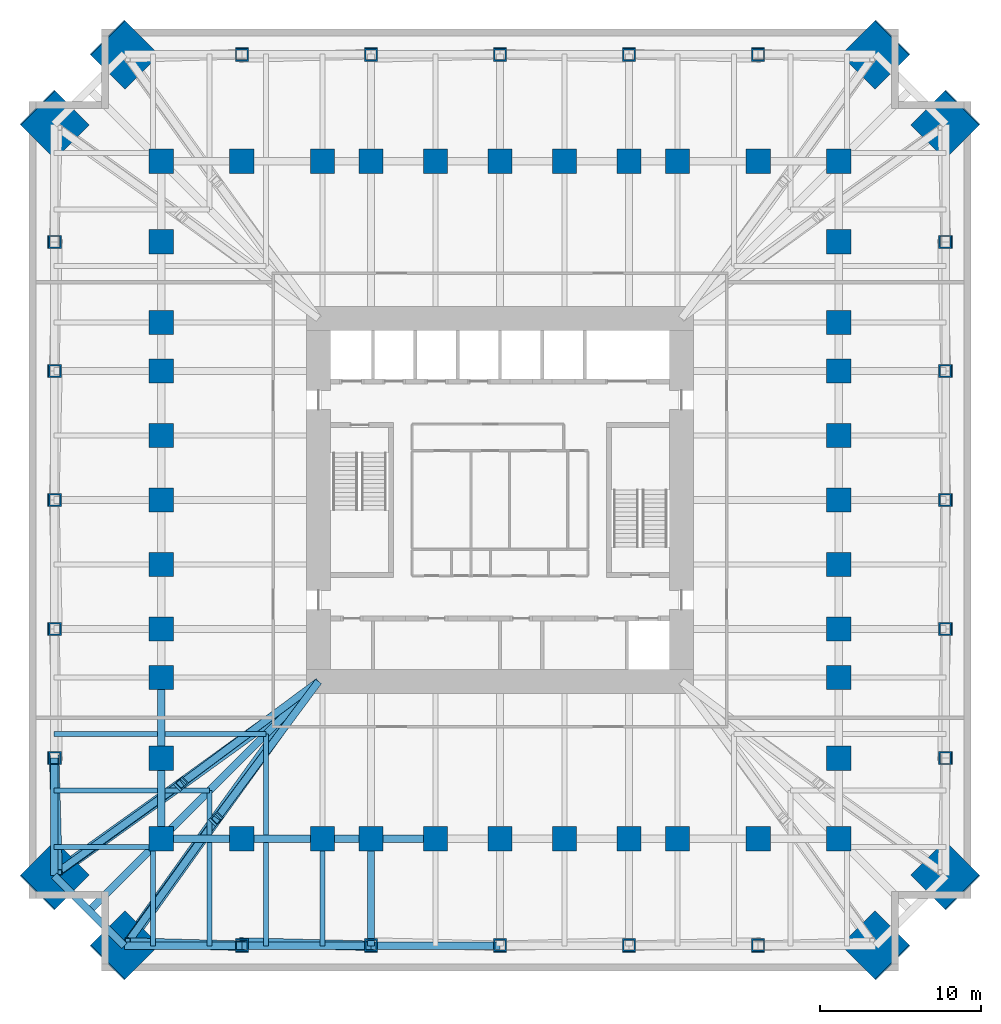
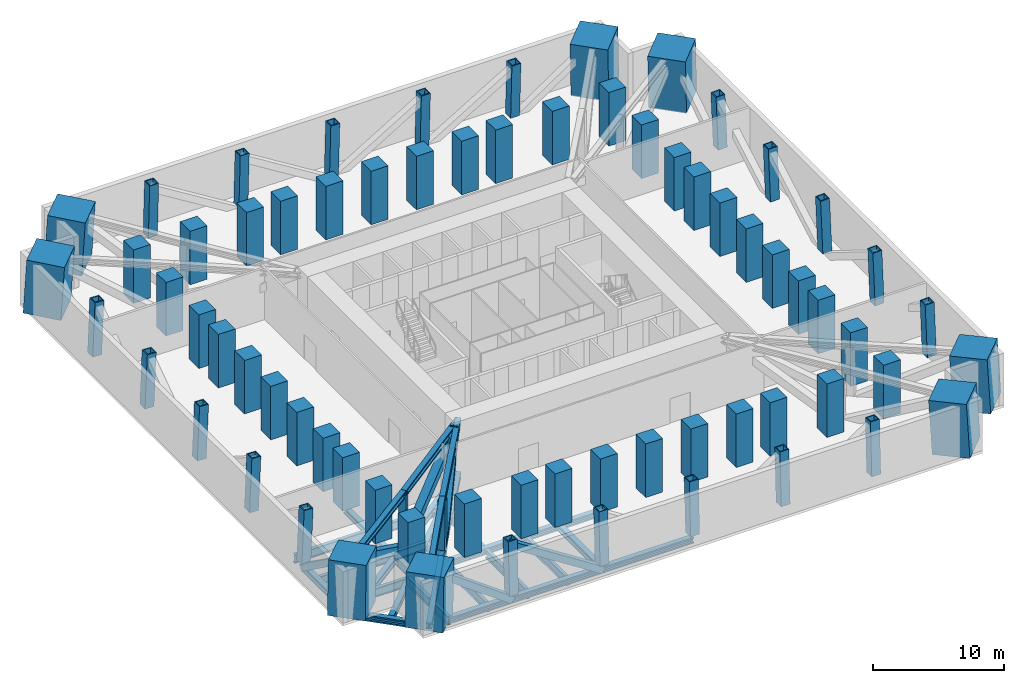
# One storey, part 1 of 9: 68 columns, 21 beams, 21 members.
"""IFC4 building model written with IfcOpenShell, lengths in metres."""

from ifc_helpers import new_model, si_unit, direction, frame, origin, origin_2d, place, context, subcontext, project, spatial, rectangle, hollow_rectangle, i_section, extrude, material, material_profile, profile_set, type_object, element, save


model = new_model("IFC4")

# Units and contexts
model_context = context("Model", 3, precision=1e-05, world=origin(), true_north=direction((0.0, 1.0)))
body_context = subcontext(model_context, "Body", "Model", "MODEL_VIEW")
ifc_project = project(units=[si_unit("LENGTHUNIT", "METRE"), si_unit("AREAUNIT", "SQUARE_METRE"), si_unit("VOLUMEUNIT", "CUBIC_METRE"), si_unit("PLANEANGLEUNIT", "RADIAN"), si_unit("MASSUNIT", "GRAM", prefix="KILO")], contexts=[model_context])

# Site, building, storey
site_placement = place(None, origin())
site = spatial("IfcSite", under=ifc_project, at=site_placement, CompositionType="ELEMENT")
building_placement = place(site_placement, origin())
building = spatial("IfcBuilding", under=site, at=building_placement, Name="Peilmerk Tower", CompositionType="ELEMENT")
storey_placement = place(building_placement, frame((0.0, 0.0, 81.0)))
storey = spatial("IfcBuildingStorey", under=building, at=storey_placement, Name="L15", CompositionType="ELEMENT", Elevation=81.0)

# Columns
ifc_material_1 = material(Name="Concrete C90/105", Category="concrete")
ifc_material_profile_1 = material_profile(ifc_material_1, rectangle(XDim=3.0, YDim=3.0, at=origin_2d()), Name="RC 3000x3000")
ifc_profile_set_1 = profile_set([ifc_material_profile_1], Name="Concrete C90/105")
column_type_1 = type_object("IfcColumnType", Name="MC1 3000x3000 encased mega column", PredefinedType="COLUMN", material=ifc_profile_set_1)
for number, where, z_axis, x_axis, name in (
    (1, (23.28076171875, 27.630615234375, 0.0), (-0.040266583883, -0.040266583883, 0.998377285621), (0.707106781187, -0.707106781187, 0.0), "Mega column MC1 NE_N L15"),
    (2, (27.630615234375, 23.28076171875, 0.0), (-0.040266583883, -0.040266583883, 0.998377285621), (0.707106781187, -0.707106781187, 0.0), "Mega column MC1 NE_E L15"),
    (3, (27.630615234375, -23.28076171875, 0.0), (-0.040266583883, 0.040266583883, 0.998377285621), (-0.707106781187, -0.707106781187, 0.0), "Mega column MC1 SE_E L15"),
    (4, (23.28076171875, -27.630615234375, 0.0), (-0.040266583883, 0.040266583883, 0.998377285621), (-0.707106781187, -0.707106781187, 0.0), "Mega column MC1 SE_S L15"),
    (5, (-23.28076171875, -27.630615234375, 0.0), (0.040266583883, 0.040266583883, 0.998377285621), (-0.707106781187, 0.707106781187, 0.0), "Mega column MC1 SW_S L15"),
    (6, (-27.630615234375, -23.28076171875, 0.0), (0.040266583883, 0.040266583883, 0.998377285621), (-0.707106781187, 0.707106781187, 0.0), "Mega column MC1 SW_W L15"),
    (7, (-27.630615234375, 23.28076171875, 0.0), (0.040266583883, -0.040266583883, 0.998377285621), (0.707106781187, 0.707106781187, 0.0), "Mega column MC1 NW_W L15"),
    (8, (-23.28076171875, 27.630615234375, 0.0), (0.040266583883, -0.040266583883, 0.998377285621), (0.707106781187, 0.707106781187, 0.0), "Mega column MC1 NW_N L15"),
):
    element("IfcColumn", number, at=place(storey_placement, frame(where, z_axis=z_axis, x_axis=x_axis)), inside=storey, type_object=column_type_1, Name=name, PredefinedType="COLUMN", context=body_context, shape_type="SweptSolid", body=[
        extrude(rectangle(XDim=3.0, YDim=3.0, at=origin_2d()), origin(), (0.0, 0.0, 1.0), 5.008056640625),
    ])
ifc_material_profile_2 = material_profile(ifc_material_1, rectangle(XDim=1.5, YDim=1.5, at=origin_2d()), Name="RC 1500x1500")
ifc_profile_set_2 = profile_set([ifc_material_profile_2], Name="Concrete C90/105")
column_type_2 = type_object("IfcColumnType", Name="SC4 1500x1500 encased interior column", PredefinedType="COLUMN", material=ifc_profile_set_2)
for number, where, z_axis, x_axis, name in (
    (9, (0.0, 21.0, 0.0), (0.0, 0.0, 1.0), (1.0, 0.0, 0.0), "Interior column N+0 L15"),
    (10, (4.0, 21.0, 0.0), (0.0, 0.0, 1.0), (1.0, 0.0, 0.0), "Interior column N-4 L15"),
    (11, (-4.0, 21.0, 0.0), (0.0, 0.0, 1.0), (1.0, 0.0, 0.0), "Interior column N+4 L15"),
    (12, (8.0, 21.0, 0.0), (0.0, 0.0, 1.0), (1.0, 0.0, 0.0), "Interior column N-8 L15"),
    (13, (-8.0, 21.0, 0.0), (0.0, 0.0, 1.0), (1.0, 0.0, 0.0), "Interior column N+8 L15"),
    (14, (11.0, 21.0, 0.0), (0.0, 0.0, 1.0), (1.0, 0.0, 0.0), "Interior column N-11 L15"),
    (15, (-11.0, 21.0, 0.0), (0.0, 0.0, 1.0), (1.0, 0.0, 0.0), "Interior column N+11 L15"),
    (16, (16.0, 21.0, 0.0), (0.0, 0.0, 1.0), (1.0, 0.0, 0.0), "Interior column N-16 L15"),
    (17, (-16.0, 21.0, 0.0), (0.0, 0.0, 1.0), (1.0, 0.0, 0.0), "Interior column N+16 L15"),
    (18, (21.0, 0.0, 0.0), (0.0, 0.0, 1.0), (1.0, 0.0, 0.0), "Interior column E+0 L15"),
    (19, (21.0, -4.0, 0.0), (0.0, 0.0, 1.0), (1.0, 0.0, 0.0), "Interior column E-4 L15"),
    (20, (21.0, 4.0, 0.0), (0.0, 0.0, 1.0), (1.0, 0.0, 0.0), "Interior column E+4 L15"),
    (21, (21.0, -8.0, 0.0), (0.0, 0.0, 1.0), (1.0, 0.0, 0.0), "Interior column E-8 L15"),
    (22, (21.0, 8.0, 0.0), (0.0, 0.0, 1.0), (1.0, 0.0, 0.0), "Interior column E+8 L15"),
    (23, (21.0, -11.0, 0.0), (0.0, 0.0, 1.0), (1.0, 0.0, 0.0), "Interior column E-11 L15"),
    (24, (21.0, 11.0, 0.0), (0.0, 0.0, 1.0), (1.0, 0.0, 0.0), "Interior column E+11 L15"),
    (25, (21.0, -16.0, 0.0), (0.0, 0.0, 1.0), (1.0, 0.0, 0.0), "Interior column E-16 L15"),
    (26, (21.0, 16.0, 0.0), (0.0, 0.0, 1.0), (1.0, 0.0, 0.0), "Interior column E+16 L15"),
    (27, (0.0, -21.0, 0.0), (0.0, 0.0, 1.0), (1.0, 0.0, 0.0), "Interior column S+0 L15"),
    (28, (-4.0, -21.0, 0.0), (0.0, 0.0, 1.0), (1.0, 0.0, 0.0), "Interior column S-4 L15"),
    (29, (4.0, -21.0, 0.0), (0.0, 0.0, 1.0), (1.0, 0.0, 0.0), "Interior column S+4 L15"),
    (30, (-8.0, -21.0, 0.0), (0.0, 0.0, 1.0), (1.0, 0.0, 0.0), "Interior column S-8 L15"),
    (31, (8.0, -21.0, 0.0), (0.0, 0.0, 1.0), (1.0, 0.0, 0.0), "Interior column S+8 L15"),
    (32, (-11.0, -21.0, 0.0), (0.0, 0.0, 1.0), (1.0, 0.0, 0.0), "Interior column S-11 L15"),
    (33, (11.0, -21.0, 0.0), (0.0, 0.0, 1.0), (1.0, 0.0, 0.0), "Interior column S+11 L15"),
    (34, (-16.0, -21.0, 0.0), (0.0, 0.0, 1.0), (1.0, 0.0, 0.0), "Interior column S-16 L15"),
    (35, (16.0, -21.0, 0.0), (0.0, 0.0, 1.0), (1.0, 0.0, 0.0), "Interior column S+16 L15"),
    (36, (-21.0, 0.0, 0.0), (0.0, 0.0, 1.0), (1.0, 0.0, 0.0), "Interior column W+0 L15"),
    (37, (-21.0, 4.0, 0.0), (0.0, 0.0, 1.0), (1.0, 0.0, 0.0), "Interior column W-4 L15"),
    (38, (-21.0, -4.0, 0.0), (0.0, 0.0, 1.0), (1.0, 0.0, 0.0), "Interior column W+4 L15"),
    (39, (-21.0, 8.0, 0.0), (0.0, 0.0, 1.0), (1.0, 0.0, 0.0), "Interior column W-8 L15"),
    (40, (-21.0, -8.0, 0.0), (0.0, 0.0, 1.0), (1.0, 0.0, 0.0), "Interior column W+8 L15"),
    (41, (-21.0, 11.0, 0.0), (0.0, 0.0, 1.0), (1.0, 0.0, 0.0), "Interior column W-11 L15"),
    (42, (-21.0, -11.0, 0.0), (0.0, 0.0, 1.0), (1.0, 0.0, 0.0), "Interior column W+11 L15"),
    (43, (-21.0, 16.0, 0.0), (0.0, 0.0, 1.0), (1.0, 0.0, 0.0), "Interior column W-16 L15"),
    (44, (-21.0, -16.0, 0.0), (0.0, 0.0, 1.0), (1.0, 0.0, 0.0), "Interior column W+16 L15"),
    (45, (21.0, 21.0, 0.0), (0.0, 0.0, 1.0), (1.0, 0.0, 0.0), "Interior column NE L15"),
    (46, (21.0, -21.0, 0.0), (0.0, 0.0, 1.0), (1.0, 0.0, 0.0), "Interior column SE L15"),
    (47, (-21.0, -21.0, 0.0), (0.0, 0.0, 1.0), (1.0, 0.0, 0.0), "Interior column SW L15"),
    (48, (-21.0, 21.0, 0.0), (0.0, 0.0, 1.0), (1.0, 0.0, 0.0), "Interior column NW L15"),
):
    element("IfcColumn", number, at=place(storey_placement, frame(where, z_axis=z_axis, x_axis=x_axis)), inside=storey, type_object=column_type_2, Name=name, PredefinedType="COLUMN", context=body_context, shape_type="SweptSolid", body=[
        extrude(rectangle(XDim=1.5, YDim=1.5, at=origin_2d()), origin(), (0.0, 0.0, 1.0), 5.0),
    ])
ifc_material_2 = material(Name="Steel S460", Category="steel")
ifc_material_profile_3 = material_profile(ifc_material_2, hollow_rectangle(XDim=0.800048828125, YDim=0.800048828125, WallThickness=0.080078125, at=origin_2d()), Name="BOX 800x800x80")
ifc_profile_set_3 = profile_set([ifc_material_profile_3], Name="Steel S460")
column_type_3 = type_object("IfcColumnType", Name="SC8 BOX 800x800x80 belt truss vertical", PredefinedType="COLUMN", material=ifc_profile_set_3)
for number, where, z_axis, x_axis, name in (
    (49, (16.0, 27.630615234375, 0.0), (0.0, -0.040299267708, 0.999187654559), (1.0, 0.0, 0.0), "Belt truss vertical T1 N"),
    (50, (8.0, 27.630615234375, 0.0), (0.0, -0.040299267708, 0.999187654559), (1.0, 0.0, 0.0), "Belt truss vertical T1 N"),
    (51, (0.0, 27.630615234375, 0.0), (0.0, -0.040299267708, 0.999187654559), (1.0, 0.0, 0.0), "Belt truss vertical T1 N"),
    (52, (-8.0, 27.630615234375, 0.0), (0.0, -0.040299267708, 0.999187654559), (1.0, 0.0, 0.0), "Belt truss vertical T1 N"),
    (53, (-16.0, 27.630615234375, 0.0), (0.0, -0.040299267708, 0.999187654559), (1.0, 0.0, 0.0), "Belt truss vertical T1 N"),
    (54, (27.630615234375, -16.0, 0.0), (-0.040299267708, 0.0, 0.999187654559), (0.0, -1.0, 0.0), "Belt truss vertical T1 E"),
    (55, (27.630615234375, -8.0, 0.0), (-0.040299267708, 0.0, 0.999187654559), (0.0, -1.0, 0.0), "Belt truss vertical T1 E"),
    (56, (27.630615234375, 0.0, 0.0), (-0.040299267708, 0.0, 0.999187654559), (0.0, -1.0, 0.0), "Belt truss vertical T1 E"),
    (57, (27.630615234375, 8.0, 0.0), (-0.040299267708, 0.0, 0.999187654559), (0.0, -1.0, 0.0), "Belt truss vertical T1 E"),
    (58, (27.630615234375, 16.0, 0.0), (-0.040299267708, 0.0, 0.999187654559), (0.0, -1.0, 0.0), "Belt truss vertical T1 E"),
    (59, (-16.0, -27.630615234375, 0.0), (0.0, 0.040299267708, 0.999187654559), (-1.0, 0.0, 0.0), "Belt truss vertical T1 S"),
    (60, (-8.0, -27.630615234375, 0.0), (0.0, 0.040299267708, 0.999187654559), (-1.0, 0.0, 0.0), "Belt truss vertical T1 S"),
    (61, (0.0, -27.630615234375, 0.0), (0.0, 0.040299267708, 0.999187654559), (-1.0, 0.0, 0.0), "Belt truss vertical T1 S"),
    (62, (8.0, -27.630615234375, 0.0), (0.0, 0.040299267708, 0.999187654559), (-1.0, 0.0, 0.0), "Belt truss vertical T1 S"),
    (63, (16.0, -27.630615234375, 0.0), (0.0, 0.040299267708, 0.999187654559), (-1.0, 0.0, 0.0), "Belt truss vertical T1 S"),
    (64, (-27.630615234375, 16.0, 0.0), (0.040299267708, 0.0, 0.999187654559), (0.0, 1.0, 0.0), "Belt truss vertical T1 W"),
    (65, (-27.630615234375, 8.0, 0.0), (0.040299267708, 0.0, 0.999187654559), (0.0, 1.0, 0.0), "Belt truss vertical T1 W"),
    (66, (-27.630615234375, 0.0, 0.0), (0.040299267708, 0.0, 0.999187654559), (0.0, 1.0, 0.0), "Belt truss vertical T1 W"),
    (67, (-27.630615234375, -8.0, 0.0), (0.040299267708, 0.0, 0.999187654559), (0.0, 1.0, 0.0), "Belt truss vertical T1 W"),
    (68, (-27.630615234375, -16.0, 0.0), (0.040299267708, 0.0, 0.999187654559), (0.0, 1.0, 0.0), "Belt truss vertical T1 W"),
):
    element("IfcColumn", number, at=place(storey_placement, frame(where, z_axis=z_axis, x_axis=x_axis)), inside=storey, type_object=column_type_3, Name=name, PredefinedType="COLUMN", context=body_context, shape_type="SweptSolid", body=[
        extrude(hollow_rectangle(XDim=0.800048828125, YDim=0.800048828125, WallThickness=0.080078125, at=origin_2d()), origin(), (0.0, 0.0, 1.0), 5.004150390625),
    ])

# Beams
ifc_material_profile_4 = material_profile(ifc_material_2, i_section(OverallWidth=0.4541015625, OverallDepth=0.569091796875, WebThickness=0.077880859375, FlangeThickness=0.125, at=origin_2d()), Name="HD 400x1086")
ifc_profile_set_4 = profile_set([ifc_material_profile_4], Name="Steel S460")
beam_type_1 = type_object("IfcBeamType", Name="B17 HD 400x1086 edge beam", PredefinedType="SPANDREL", material=ifc_profile_set_4)
beam_1_placement = place(storey_placement, frame((-23.28076171875, -27.630615234375, -0.534423828125), z_axis=(-0.707106781187, 0.707106781187, 0.0), x_axis=(-0.707106781187, -0.707106781187, 0.0)))
element("IfcBeam", 69, at=beam_1_placement, inside=storey, type_object=beam_type_1, Name="Notch beam L15", PredefinedType="SPANDREL", context=body_context, shape_type="SweptSolid", body=[
    extrude(i_section(OverallWidth=0.4541015625, OverallDepth=0.569091796875, WebThickness=0.077880859375, FlangeThickness=0.125, at=origin_2d()), origin(), (0.0, 0.0, 1.0), 6.151611328125),
])
ifc_material_profile_5 = material_profile(ifc_material_2, i_section(OverallWidth=0.302978515625, OverallDepth=0.81396484375, WebThickness=0.02099609375, FlangeThickness=0.0400390625, at=origin_2d()), Name="HEM 800")
ifc_profile_set_5 = profile_set([ifc_material_profile_5], Name="Steel S460")
beam_type_2 = type_object("IfcBeamType", Name="B26 HEM 800 floor beam", PredefinedType="BEAM", material=ifc_profile_set_5)
beam_2_placement = place(storey_placement, frame((-11.0, -21.0, -0.656982421875), z_axis=(0.0, -1.0, 0.0), x_axis=(1.0, 0.0, 0.0)))
element("IfcBeam", 70, at=beam_2_placement, inside=storey, type_object=beam_type_2, Name="Floor beam L15", PredefinedType="BEAM", context=body_context, shape_type="SweptSolid", body=[
    extrude(i_section(OverallWidth=0.302978515625, OverallDepth=0.81396484375, WebThickness=0.02099609375, FlangeThickness=0.0400390625, at=origin_2d()), origin(), (0.0, 0.0, 1.0), 6.630615234375),
])
beam_3_placement = place(storey_placement, frame((-14.5, -14.5, -0.656982421875), z_axis=(0.0, -1.0, 0.0), x_axis=(1.0, 0.0, 0.0)))
element("IfcBeam", 71, at=beam_3_placement, inside=storey, type_object=beam_type_2, Name="Floor beam L15", PredefinedType="BEAM", context=body_context, shape_type="SweptSolid", body=[
    extrude(i_section(OverallWidth=0.302978515625, OverallDepth=0.81396484375, WebThickness=0.02099609375, FlangeThickness=0.0400390625, at=origin_2d()), origin(), (0.0, 0.0, 1.0), 6.27294921875),
])
beam_4_placement = place(storey_placement, frame((-14.5, -21.22705078125, -0.656982421875), z_axis=(0.0, -1.0, 0.0), x_axis=(1.0, 0.0, 0.0)))
element("IfcBeam", 72, at=beam_4_placement, inside=storey, type_object=beam_type_2, Name="Floor beam L15", PredefinedType="BEAM", context=body_context, shape_type="SweptSolid", body=[
    extrude(i_section(OverallWidth=0.302978515625, OverallDepth=0.81396484375, WebThickness=0.02099609375, FlangeThickness=0.0400390625, at=origin_2d()), origin(), (0.0, 0.0, 1.0), 6.403564453125),
])
beam_5_placement = place(storey_placement, frame((-14.5, -14.5, -0.656982421875), z_axis=(-1.0, 0.0, 0.0), x_axis=(0.0, -1.0, 0.0)))
element("IfcBeam", 73, at=beam_5_placement, inside=storey, type_object=beam_type_2, Name="Floor beam L15", PredefinedType="BEAM", context=body_context, shape_type="SweptSolid", body=[
    extrude(i_section(OverallWidth=0.302978515625, OverallDepth=0.81396484375, WebThickness=0.02099609375, FlangeThickness=0.0400390625, at=origin_2d()), origin(), (0.0, 0.0, 1.0), 6.27294921875),
])
beam_6_placement = place(storey_placement, frame((-21.22705078125, -14.5, -0.656982421875), z_axis=(-1.0, 0.0, 0.0), x_axis=(0.0, -1.0, 0.0)))
element("IfcBeam", 74, at=beam_6_placement, inside=storey, type_object=beam_type_2, Name="Floor beam L15", PredefinedType="BEAM", context=body_context, shape_type="SweptSolid", body=[
    extrude(i_section(OverallWidth=0.302978515625, OverallDepth=0.81396484375, WebThickness=0.02099609375, FlangeThickness=0.0400390625, at=origin_2d()), origin(), (0.0, 0.0, 1.0), 6.403564453125),
])
beam_7_placement = place(storey_placement, frame((-18.0, -18.0, -0.656982421875), z_axis=(0.0, -1.0, 0.0), x_axis=(1.0, 0.0, 0.0)))
element("IfcBeam", 75, at=beam_7_placement, inside=storey, type_object=beam_type_2, Name="Floor beam L15", PredefinedType="BEAM", context=body_context, shape_type="SweptSolid", body=[
    extrude(i_section(OverallWidth=0.302978515625, OverallDepth=0.81396484375, WebThickness=0.02099609375, FlangeThickness=0.0400390625, at=origin_2d()), origin(), (0.0, 0.0, 1.0), 2.77294921875),
])
beam_8_placement = place(storey_placement, frame((-18.0, -21.22705078125, -0.656982421875), z_axis=(0.0, -1.0, 0.0), x_axis=(1.0, 0.0, 0.0)))
element("IfcBeam", 76, at=beam_8_placement, inside=storey, type_object=beam_type_2, Name="Floor beam L15", PredefinedType="BEAM", context=body_context, shape_type="SweptSolid", body=[
    extrude(i_section(OverallWidth=0.302978515625, OverallDepth=0.81396484375, WebThickness=0.02099609375, FlangeThickness=0.0400390625, at=origin_2d()), origin(), (0.0, 0.0, 1.0), 6.403564453125),
])
beam_9_placement = place(storey_placement, frame((-18.0, -18.0, -0.656982421875), z_axis=(-1.0, 0.0, 0.0), x_axis=(0.0, -1.0, 0.0)))
element("IfcBeam", 77, at=beam_9_placement, inside=storey, type_object=beam_type_2, Name="Floor beam L15", PredefinedType="BEAM", context=body_context, shape_type="SweptSolid", body=[
    extrude(i_section(OverallWidth=0.302978515625, OverallDepth=0.81396484375, WebThickness=0.02099609375, FlangeThickness=0.0400390625, at=origin_2d()), origin(), (0.0, 0.0, 1.0), 2.77294921875),
])
beam_10_placement = place(storey_placement, frame((-21.22705078125, -18.0, -0.656982421875), z_axis=(-1.0, 0.0, 0.0), x_axis=(0.0, -1.0, 0.0)))
element("IfcBeam", 78, at=beam_10_placement, inside=storey, type_object=beam_type_2, Name="Floor beam L15", PredefinedType="BEAM", context=body_context, shape_type="SweptSolid", body=[
    extrude(i_section(OverallWidth=0.302978515625, OverallDepth=0.81396484375, WebThickness=0.02099609375, FlangeThickness=0.0400390625, at=origin_2d()), origin(), (0.0, 0.0, 1.0), 6.403564453125),
])
for number, where, z_axis, x_axis, name in (
    (79, (-21.5, -21.5, -0.656982421875), (0.0, -1.0, 0.0), (1.0, 0.0, 0.0), "Floor beam L15"),
    (80, (-21.5, -21.5, -0.656982421875), (-1.0, 0.0, 0.0), (0.0, -1.0, 0.0), "Floor beam L15"),
):
    element("IfcBeam", number, at=place(storey_placement, frame(where, z_axis=z_axis, x_axis=x_axis)), inside=storey, type_object=beam_type_2, Name=name, PredefinedType="BEAM", context=body_context, shape_type="SweptSolid", body=[
        extrude(i_section(OverallWidth=0.302978515625, OverallDepth=0.81396484375, WebThickness=0.02099609375, FlangeThickness=0.0400390625, at=origin_2d()), origin(), (0.0, 0.0, 1.0), 6.130615234375),
    ])
ifc_material_profile_6 = material_profile(ifc_material_2, i_section(OverallWidth=0.4541015625, OverallDepth=0.569091796875, WebThickness=0.077880859375, FlangeThickness=0.125, at=origin_2d()), Name="HD 400x1086")
ifc_profile_set_6 = profile_set([ifc_material_profile_6], Name="Steel S460")
beam_type_3 = type_object("IfcBeamType", Name="B9 HD 400x1086 corner girder", PredefinedType="BEAM", material=ifc_profile_set_6)
beam_11_placement = place(storey_placement, frame((-8.0, -21.0, -0.534423828125), z_axis=(0.0, -1.0, 0.0), x_axis=(1.0, 0.0, 0.0)))
element("IfcBeam", 81, at=beam_11_placement, inside=storey, type_object=beam_type_3, Name="Floor girder L15", PredefinedType="BEAM", context=body_context, shape_type="SweptSolid", body=[
    extrude(i_section(OverallWidth=0.4541015625, OverallDepth=0.569091796875, WebThickness=0.077880859375, FlangeThickness=0.125, at=origin_2d()), origin(), (0.0, 0.0, 1.0), 6.630615234375),
])
for number, where, z_axis, x_axis, name in (
    (82, (-21.0, -21.0, -0.534423828125), (1.0, 0.0, 0.0), (0.0, 1.0, 0.0), "Ring girder L15"),
    (83, (-16.0, -21.0, -0.534423828125), (1.0, 0.0, 0.0), (0.0, 1.0, 0.0), "Ring girder L15"),
):
    element("IfcBeam", number, at=place(storey_placement, frame(where, z_axis=z_axis, x_axis=x_axis)), inside=storey, type_object=beam_type_3, Name=name, PredefinedType="BEAM", context=body_context, shape_type="SweptSolid", body=[
        extrude(i_section(OverallWidth=0.4541015625, OverallDepth=0.569091796875, WebThickness=0.077880859375, FlangeThickness=0.125, at=origin_2d()), origin(), (0.0, 0.0, 1.0), 5.0),
    ])
beam_12_placement = place(storey_placement, frame((-11.0, -21.0, -0.534423828125), z_axis=(1.0, 0.0, 0.0), x_axis=(0.0, 1.0, 0.0)))
element("IfcBeam", 84, at=beam_12_placement, inside=storey, type_object=beam_type_3, Name="Ring girder L15", PredefinedType="BEAM", context=body_context, shape_type="SweptSolid", body=[
    extrude(i_section(OverallWidth=0.4541015625, OverallDepth=0.569091796875, WebThickness=0.077880859375, FlangeThickness=0.125, at=origin_2d()), origin(), (0.0, 0.0, 1.0), 3.0),
])
beam_13_placement = place(storey_placement, frame((-8.0, -21.0, -0.534423828125), z_axis=(1.0, 0.0, 0.0), x_axis=(0.0, 1.0, 0.0)))
element("IfcBeam", 85, at=beam_13_placement, inside=storey, type_object=beam_type_3, Name="Ring girder L15", PredefinedType="BEAM", context=body_context, shape_type="SweptSolid", body=[
    extrude(i_section(OverallWidth=0.4541015625, OverallDepth=0.569091796875, WebThickness=0.077880859375, FlangeThickness=0.125, at=origin_2d()), origin(), (0.0, 0.0, 1.0), 4.0),
])
for number, where, z_axis, x_axis, name in (
    (86, (-21.0, -11.0, -0.534423828125), (0.0, -1.0, 0.0), (1.0, 0.0, 0.0), "Ring girder L15"),
    (87, (-21.0, -16.0, -0.534423828125), (0.0, -1.0, 0.0), (1.0, 0.0, 0.0), "Ring girder L15"),
):
    element("IfcBeam", number, at=place(storey_placement, frame(where, z_axis=z_axis, x_axis=x_axis)), inside=storey, type_object=beam_type_3, Name=name, PredefinedType="BEAM", context=body_context, shape_type="SweptSolid", body=[
        extrude(i_section(OverallWidth=0.4541015625, OverallDepth=0.569091796875, WebThickness=0.077880859375, FlangeThickness=0.125, at=origin_2d()), origin(), (0.0, 0.0, 1.0), 5.0),
    ])
beam_14_placement = place(storey_placement, frame((-11.25, -11.25, -0.534423828125), z_axis=(-0.707106781187, -0.707106781187, 0.0), x_axis=(0.707106781187, -0.707106781187, 0.0)))
element("IfcBeam", 88, at=beam_14_placement, inside=storey, type_object=beam_type_3, Name="Corner girder L15", PredefinedType="BEAM", context=body_context, shape_type="SweptSolid", body=[
    extrude(i_section(OverallWidth=0.4541015625, OverallDepth=0.569091796875, WebThickness=0.077880859375, FlangeThickness=0.125, at=origin_2d()), origin(), (0.0, 0.0, 1.0), 13.78857421875),
])
beam_15_placement = place(storey_placement, frame((-21.0, -21.0, -0.534423828125), z_axis=(-0.707106781187, -0.707106781187, 0.0), x_axis=(0.707106781187, -0.707106781187, 0.0)))
element("IfcBeam", 89, at=beam_15_placement, inside=storey, type_object=beam_type_3, Name="Corner girder L15", PredefinedType="BEAM", context=body_context, shape_type="SweptSolid", body=[
    extrude(i_section(OverallWidth=0.4541015625, OverallDepth=0.569091796875, WebThickness=0.077880859375, FlangeThickness=0.125, at=origin_2d()), origin(), (0.0, 0.0, 1.0), 6.301025390625),
])

# Members
ifc_material_profile_7 = material_profile(ifc_material_2, i_section(OverallWidth=0.4541015625, OverallDepth=0.569091796875, WebThickness=0.077880859375, FlangeThickness=0.125, at=origin_2d()), Name="HD 400x1086")
ifc_profile_set_7 = profile_set([ifc_material_profile_7], Name="Steel S460")
member_type_1 = type_object("IfcMemberType", Name="M1 HD 400x1086 belt truss chord", PredefinedType="CHORD", material=ifc_profile_set_7)
member_1_placement = place(storey_placement, frame((-23.28076171875, -27.630615234375, -0.534423828125), z_axis=(1.0, 0.0, 0.0), x_axis=(0.0, 1.0, 0.0)))
element("IfcMember", 90, at=member_1_placement, inside=storey, type_object=member_type_1, Name="Belt truss chord L15", PredefinedType="CHORD", context=body_context, shape_type="SweptSolid", body=[
    extrude(i_section(OverallWidth=0.4541015625, OverallDepth=0.569091796875, WebThickness=0.077880859375, FlangeThickness=0.125, at=origin_2d()), origin(), (0.0, 0.0, 1.0), 7.28076171875),
])
for number, where, z_axis, x_axis, name in (
    (91, (-16.0, -27.630615234375, -0.534423828125), (1.0, 0.0, 0.0), (0.0, 1.0, 0.0), "Belt truss chord L15"),
    (92, (-8.0, -27.630615234375, -0.534423828125), (1.0, 0.0, 0.0), (0.0, 1.0, 0.0), "Belt truss chord L15"),
):
    element("IfcMember", number, at=place(storey_placement, frame(where, z_axis=z_axis, x_axis=x_axis)), inside=storey, type_object=member_type_1, Name=name, PredefinedType="CHORD", context=body_context, shape_type="SweptSolid", body=[
        extrude(i_section(OverallWidth=0.4541015625, OverallDepth=0.569091796875, WebThickness=0.077880859375, FlangeThickness=0.125, at=origin_2d()), origin(), (0.0, 0.0, 1.0), 8.0),
    ])
member_2_placement = place(storey_placement, frame((-27.630615234375, -16.0, -0.534423828125), z_axis=(0.0, -1.0, 0.0), x_axis=(1.0, 0.0, 0.0)))
element("IfcMember", 93, at=member_2_placement, inside=storey, type_object=member_type_1, Name="Belt truss chord L15", PredefinedType="CHORD", context=body_context, shape_type="SweptSolid", body=[
    extrude(i_section(OverallWidth=0.4541015625, OverallDepth=0.569091796875, WebThickness=0.077880859375, FlangeThickness=0.125, at=origin_2d()), origin(), (0.0, 0.0, 1.0), 7.28076171875),
])
member_3_placement = place(storey_placement, frame((-11.25, -11.25, -0.534423828125), z_axis=(-0.597980379047, -0.801510739962, 0.0), x_axis=(0.801510739962, -0.597980379047, 0.0)))
element("IfcMember", 94, at=member_3_placement, inside=storey, type_object=member_type_1, Name="Outrigger chord T1 SW", PredefinedType="CHORD", context=body_context, shape_type="SweptSolid", body=[
    extrude(i_section(OverallWidth=0.4541015625, OverallDepth=0.569091796875, WebThickness=0.077880859375, FlangeThickness=0.125, at=origin_2d()), origin(), (0.0, 0.0, 1.0), 10.6865234375),
])
member_4_placement = place(storey_placement, frame((-17.640380859375, -19.8154296875, -0.534423828125), z_axis=(-0.585223235775, -0.810872224403, 0.0), x_axis=(0.810872224403, -0.585223235775, 0.0)))
element("IfcMember", 95, at=member_4_placement, inside=storey, type_object=member_type_1, Name="Outrigger chord T1 SW", PredefinedType="CHORD", context=body_context, shape_type="SweptSolid", body=[
    extrude(i_section(OverallWidth=0.4541015625, OverallDepth=0.569091796875, WebThickness=0.077880859375, FlangeThickness=0.125, at=origin_2d()), origin(), (0.0, 0.0, 1.0), 9.637939453125),
])
member_5_placement = place(storey_placement, frame((-11.25, -11.25, 4.515380859375), z_axis=(-0.596419475751, -0.802672915293, 0.0), x_axis=(0.802672915293, -0.596419475751, 0.0)))
element("IfcMember", 96, at=member_5_placement, inside=storey, type_object=member_type_1, Name="Outrigger chord T1 SW", PredefinedType="CHORD", context=body_context, shape_type="SweptSolid", body=[
    extrude(i_section(OverallWidth=0.4541015625, OverallDepth=0.569091796875, WebThickness=0.077880859375, FlangeThickness=0.125, at=origin_2d()), origin(), (0.0, 0.0, 1.0), 10.54541015625),
])
member_6_placement = place(storey_placement, frame((-17.53955078125, -19.714599609375, 4.515380859375), z_axis=(-0.583278981852, -0.812271893722, 0.0), x_axis=(0.812271893722, -0.583278981852, 0.0)))
element("IfcMember", 97, at=member_6_placement, inside=storey, type_object=member_type_1, Name="Outrigger chord T1 SW", PredefinedType="CHORD", context=body_context, shape_type="SweptSolid", body=[
    extrude(i_section(OverallWidth=0.4541015625, OverallDepth=0.569091796875, WebThickness=0.077880859375, FlangeThickness=0.125, at=origin_2d()), origin(), (0.0, 0.0, 1.0), 9.497314453125),
])
member_7_placement = place(storey_placement, frame((-11.25, -11.25, -0.534423828125), z_axis=(-0.801510739962, -0.597980379047, 0.0), x_axis=(0.597980379047, -0.801510739962, 0.0)))
element("IfcMember", 98, at=member_7_placement, inside=storey, type_object=member_type_1, Name="Outrigger chord T1 SW", PredefinedType="CHORD", context=body_context, shape_type="SweptSolid", body=[
    extrude(i_section(OverallWidth=0.4541015625, OverallDepth=0.569091796875, WebThickness=0.077880859375, FlangeThickness=0.125, at=origin_2d()), origin(), (0.0, 0.0, 1.0), 10.6865234375),
])
member_8_placement = place(storey_placement, frame((-19.8154296875, -17.640380859375, -0.534423828125), z_axis=(-0.810872224403, -0.585223235775, 0.0), x_axis=(0.585223235775, -0.810872224403, 0.0)))
element("IfcMember", 99, at=member_8_placement, inside=storey, type_object=member_type_1, Name="Outrigger chord T1 SW", PredefinedType="CHORD", context=body_context, shape_type="SweptSolid", body=[
    extrude(i_section(OverallWidth=0.4541015625, OverallDepth=0.569091796875, WebThickness=0.077880859375, FlangeThickness=0.125, at=origin_2d()), origin(), (0.0, 0.0, 1.0), 9.637939453125),
])
member_9_placement = place(storey_placement, frame((-11.25, -11.25, 4.515380859375), z_axis=(-0.802672915293, -0.596419475751, 0.0), x_axis=(0.596419475751, -0.802672915293, 0.0)))
element("IfcMember", 100, at=member_9_placement, inside=storey, type_object=member_type_1, Name="Outrigger chord T1 SW", PredefinedType="CHORD", context=body_context, shape_type="SweptSolid", body=[
    extrude(i_section(OverallWidth=0.4541015625, OverallDepth=0.569091796875, WebThickness=0.077880859375, FlangeThickness=0.125, at=origin_2d()), origin(), (0.0, 0.0, 1.0), 10.54541015625),
])
member_10_placement = place(storey_placement, frame((-19.714599609375, -17.53955078125, 4.515380859375), z_axis=(-0.812271893722, -0.583278981852, 0.0), x_axis=(0.583278981852, -0.812271893722, 0.0)))
element("IfcMember", 101, at=member_10_placement, inside=storey, type_object=member_type_1, Name="Outrigger chord T1 SW", PredefinedType="CHORD", context=body_context, shape_type="SweptSolid", body=[
    extrude(i_section(OverallWidth=0.4541015625, OverallDepth=0.569091796875, WebThickness=0.077880859375, FlangeThickness=0.125, at=origin_2d()), origin(), (0.0, 0.0, 1.0), 9.497314453125),
])
ifc_material_profile_8 = material_profile(ifc_material_2, hollow_rectangle(XDim=0.60009765625, YDim=0.60009765625, WallThickness=0.06005859375, at=origin_2d()), Name="BOX 600x600x60")
ifc_profile_set_8 = profile_set([ifc_material_profile_8], Name="Steel S460")
member_type_2 = type_object("IfcMemberType", Name="M2 BOX 600x600x60 belt truss diagonal", PredefinedType="BRACE", material=ifc_profile_set_8)
member_11_placement = place(storey_placement, frame((-16.0, -27.630615234375, -0.534423828125), z_axis=(-0.813878712609, 0.023184708809, 0.580572054477), x_axis=(-0.028475136498, -0.999594501086, 0.0)))
element("IfcMember", 102, at=member_11_placement, inside=storey, type_object=member_type_2, Name="Belt truss diagonal T1 S", PredefinedType="BRACE", context=body_context, shape_type="SweptSolid", body=[
    extrude(hollow_rectangle(XDim=0.60009765625, YDim=0.60009765625, WallThickness=0.06005859375, at=origin_2d()), origin(), (0.0, 0.0, 1.0), 8.697998046875),
])
member_12_placement = place(storey_placement, frame((-8.0, -27.630615234375, -0.534423828125), z_axis=(-0.845431734913, 0.02131123697, 0.533658142241), x_axis=(-0.025199514677, -0.999682441808, 0.0)))
element("IfcMember", 103, at=member_12_placement, inside=storey, type_object=member_type_2, Name="Belt truss diagonal T1 S", PredefinedType="BRACE", context=body_context, shape_type="SweptSolid", body=[
    extrude(hollow_rectangle(XDim=0.60009765625, YDim=0.60009765625, WallThickness=0.06005859375, at=origin_2d()), origin(), (0.0, 0.0, 1.0), 9.462646484375),
])
member_13_placement = place(storey_placement, frame((-27.630615234375, -16.0, -0.534423828125), z_axis=(0.023184708809, -0.813878712609, 0.580572054477), x_axis=(0.999594501086, 0.028475136498, 0.0)))
element("IfcMember", 104, at=member_13_placement, inside=storey, type_object=member_type_2, Name="Belt truss diagonal T1 W", PredefinedType="BRACE", context=body_context, shape_type="SweptSolid", body=[
    extrude(hollow_rectangle(XDim=0.60009765625, YDim=0.60009765625, WallThickness=0.06005859375, at=origin_2d()), origin(), (0.0, 0.0, 1.0), 8.697998046875),
])
ifc_material_profile_9 = material_profile(ifc_material_2, hollow_rectangle(XDim=0.60009765625, YDim=0.60009765625, WallThickness=0.06005859375, at=origin_2d()), Name="BOX 600x600x60")
ifc_profile_set_9 = profile_set([ifc_material_profile_9], Name="Steel S460")
member_type_3 = type_object("IfcMemberType", Name="M3 BOX 600x600x60 outrigger post", PredefinedType="POST", material=ifc_profile_set_9)
for number, where, z_axis, x_axis, name in (
    (105, (-17.640380859375, -19.8154296875, -0.534423828125), (0.019959168491, 0.019959168491, 0.999601552213), (-0.707106781187, 0.707106781187, 0.0), "Outrigger post T1 SW"),
    (106, (-19.8154296875, -17.640380859375, -0.534423828125), (0.019959168491, 0.019959168491, 0.999601552213), (-0.707106781187, 0.707106781187, 0.0), "Outrigger post T1 SW"),
):
    element("IfcMember", number, at=place(storey_placement, frame(where, z_axis=z_axis, x_axis=x_axis)), inside=storey, type_object=member_type_3, Name=name, PredefinedType="POST", context=body_context, shape_type="SweptSolid", body=[
        extrude(hollow_rectangle(XDim=0.60009765625, YDim=0.60009765625, WallThickness=0.06005859375, at=origin_2d()), origin(), (0.0, 0.0, 1.0), 5.0517578125),
    ])
ifc_material_profile_10 = material_profile(ifc_material_2, hollow_rectangle(XDim=0.699951171875, YDim=0.699951171875, WallThickness=0.080078125, at=origin_2d()), Name="BOX 700x700x80")
ifc_profile_set_10 = profile_set([ifc_material_profile_10], Name="Steel S460")
member_type_4 = type_object("IfcMemberType", Name="M4 BOX 700x700x80 outrigger diagonal", PredefinedType="BRACE", material=ifc_profile_set_10)
member_14_placement = place(storey_placement, frame((-17.640380859375, -19.8154296875, -0.534423828125), z_axis=(0.518371457073, 0.718266332677, 0.464095365022), x_axis=(-0.810880899672, 0.585211215329, 0.0)))
element("IfcMember", 107, at=member_14_placement, inside=storey, type_object=member_type_4, Name="Outrigger diagonal T1", PredefinedType="BRACE", context=body_context, shape_type="SweptSolid", body=[
    extrude(hollow_rectangle(XDim=0.699951171875, YDim=0.699951171875, WallThickness=0.080078125, at=origin_2d()), origin(), (0.0, 0.0, 1.0), 10.880859375),
])
member_15_placement = place(storey_placement, frame((-17.640380859375, -19.8154296875, -0.534423828125), z_axis=(-0.5115277478, -0.716074552909, 0.474949047695), x_axis=(0.813708787948, -0.581272748729, 0.0)))
element("IfcMember", 108, at=member_15_placement, inside=storey, type_object=member_type_4, Name="Outrigger diagonal T1", PredefinedType="BRACE", context=body_context, shape_type="SweptSolid", body=[
    extrude(hollow_rectangle(XDim=0.699951171875, YDim=0.699951171875, WallThickness=0.080078125, at=origin_2d()), origin(), (0.0, 0.0, 1.0), 10.63232421875),
])
member_16_placement = place(storey_placement, frame((-19.8154296875, -17.640380859375, -0.534423828125), z_axis=(0.718266332677, 0.518371457073, 0.464095365022), x_axis=(-0.585211215329, 0.810880899672, 0.0)))
element("IfcMember", 109, at=member_16_placement, inside=storey, type_object=member_type_4, Name="Outrigger diagonal T1", PredefinedType="BRACE", context=body_context, shape_type="SweptSolid", body=[
    extrude(hollow_rectangle(XDim=0.699951171875, YDim=0.699951171875, WallThickness=0.080078125, at=origin_2d()), origin(), (0.0, 0.0, 1.0), 10.880859375),
])
member_17_placement = place(storey_placement, frame((-19.8154296875, -17.640380859375, -0.534423828125), z_axis=(-0.716074552909, -0.5115277478, 0.474949047695), x_axis=(0.581272748729, -0.813708787948, 0.0)))
element("IfcMember", 110, at=member_17_placement, inside=storey, type_object=member_type_4, Name="Outrigger diagonal T1", PredefinedType="BRACE", context=body_context, shape_type="SweptSolid", body=[
    extrude(hollow_rectangle(XDim=0.699951171875, YDim=0.699951171875, WallThickness=0.080078125, at=origin_2d()), origin(), (0.0, 0.0, 1.0), 10.63232421875),
])

save(model, "model.ifc")
